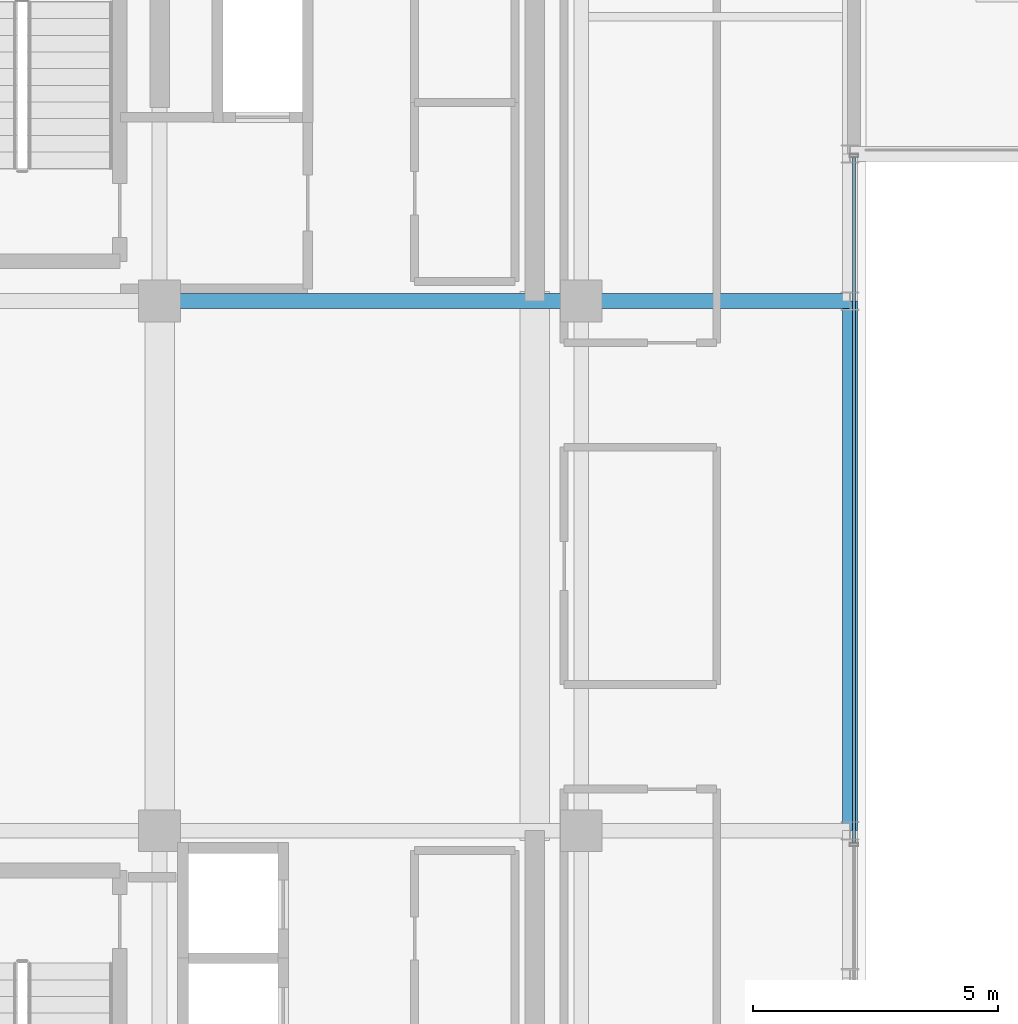
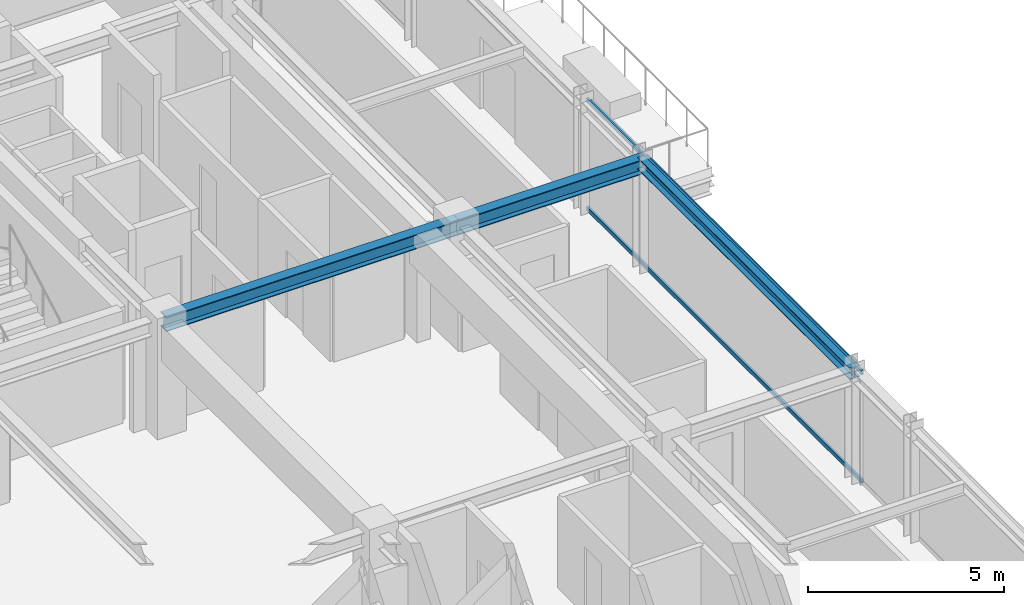
# One storey, part 14 of 33: 3 beams, 2 members, 1 element without a shape of its own.
"""IFC4 building model written with IfcOpenShell, lengths in metres."""

from ifc_helpers import new_model, si_unit, direction, frame, origin, origin_2d, place, context, subcontext, project, spatial, hollow_rectangle, i_section, extrude, source, transform, mapped, material, material_profile, profile_set, type_object, element, aggregate, save


model = new_model("IFC4")

# Units and contexts
model_context = context("Model", 3, precision=1e-05, world=origin(), true_north=direction((0.0, 1.0)))
body_context = subcontext(model_context, "Body", "Model", "MODEL_VIEW")
ifc_project = project(units=[si_unit("LENGTHUNIT", "METRE"), si_unit("AREAUNIT", "SQUARE_METRE"), si_unit("VOLUMEUNIT", "CUBIC_METRE"), si_unit("PLANEANGLEUNIT", "RADIAN"), si_unit("MASSUNIT", "GRAM", prefix="KILO")], contexts=[model_context])

# Site, building, storey
site_placement = place(None, origin())
site = spatial("IfcSite", under=ifc_project, at=site_placement, CompositionType="ELEMENT")
building_placement = place(site_placement, origin())
building = spatial("IfcBuilding", under=site, at=building_placement, Name="Nahalor Promenade Grand Hotel", CompositionType="ELEMENT")
storey_placement = place(building_placement, frame((0.0, 0.0, 315.75)))
storey = spatial("IfcBuildingStorey", under=building, at=storey_placement, Name="L81", CompositionType="ELEMENT", Elevation=315.75)

# Beams
ifc_material_1 = material(Name="Steel S355JR", Category="steel")
ifc_material_profile_1 = material_profile(ifc_material_1, i_section(OverallWidth=0.3, OverallDepth=0.45, WebThickness=0.014, FlangeThickness=0.026, at=origin_2d()), Name="HEB 450")
ifc_profile_set_1 = profile_set([ifc_material_profile_1], Name="Steel S355JR")
beam_type_1 = type_object("IfcBeamType", Name="Beam-Girder-HEB450", PredefinedType="BEAM", material=ifc_profile_set_1)
shared_shape_1 = source(origin(), body_context, "Body", "SweptSolid", [
    extrude(i_section(OverallWidth=0.3, OverallDepth=0.45, WebThickness=0.014, FlangeThickness=0.026, at=origin_2d()), origin(), (0.0, 0.0, 1.0), 8.60009765625),
])
beam_1_placement = place(storey_placement, frame((8.39990234375, 5.39990234375, 3.27490234375), z_axis=(1.0, 0.0, 0.0), x_axis=(0.0, 1.0, 0.0)))
element("IfcBeam", 1, at=beam_1_placement, inside=storey, type_object=beam_type_1, Name="BM-L81-GX-2-5", PredefinedType="BEAM", context=body_context, shape_type="MappedRepresentation", body=[
    mapped(shared_shape_1, transform((0.0, 0.0, 0.0), scale=1.0)),
])
shared_shape_2 = source(origin(), body_context, "Body", "SweptSolid", [
    extrude(i_section(OverallWidth=0.3, OverallDepth=0.45, WebThickness=0.014, FlangeThickness=0.026, at=origin_2d()), origin(), (0.0, 0.0, 1.0), 5.47998046875),
])
beam_2_placement = place(storey_placement, frame((17.0, 5.39990234375, 3.27490234375), z_axis=(1.0, 0.0, 0.0), x_axis=(0.0, 1.0, 0.0)))
element("IfcBeam", 2, at=beam_2_placement, inside=storey, type_object=beam_type_1, Name="BM-L81-GX-2-6", PredefinedType="BEAM", context=body_context, shape_type="MappedRepresentation", body=[
    mapped(shared_shape_2, transform((0.0, 0.0, 0.0), scale=1.0)),
])
ifc_material_profile_2 = material_profile(ifc_material_1, i_section(OverallWidth=0.3, OverallDepth=0.36, WebThickness=0.0125, FlangeThickness=0.0225, at=origin_2d()), Name="HEB 360")
ifc_profile_set_2 = profile_set([ifc_material_profile_2], Name="Steel S355JR")
beam_type_2 = type_object("IfcBeamType", Name="Beam-Spandrel-HEB360", PredefinedType="SPANDREL", material=ifc_profile_set_2)
shared_shape_3 = source(origin(), body_context, "Body", "SweptSolid", [
    extrude(i_section(OverallWidth=0.3, OverallDepth=0.36, WebThickness=0.0125, FlangeThickness=0.0225, at=origin_2d()), origin(), (0.0, 0.0, 1.0), 10.7998046875),
])
beam_3_placement = place(storey_placement, frame((22.47998046875, -5.39990234375, 3.320068359375), z_axis=(0.0, 1.0, 0.0), x_axis=(-1.0, 0.0, 0.0)))
element("IfcBeam", 3, at=beam_3_placement, inside=storey, type_object=beam_type_2, Name="BM-L81-SP-E-2", PredefinedType="SPANDREL", context=body_context, shape_type="MappedRepresentation", body=[
    mapped(shared_shape_3, transform((0.0, 0.0, 0.0), scale=1.0)),
])

# Curtain wall, members
ifc_material_2 = material(Name="Anodised Bronze Aluminium EN AW-6063 T6", Category="aluminium")
curtain_wall_type = type_object("IfcCurtainWallType", Name="CW2 Typical Hotel Flush Bronze Unitised Curtain Wall", PredefinedType="USERDEFINED", material=ifc_material_2)
curtain_wall_placement = place(storey_placement, origin())
curtain_wall = element("IfcCurtainWall", 4, at=curtain_wall_placement, inside=storey, type_object=curtain_wall_type, Name="L81 Curtain Wall CW-L81-E-1", ObjectType="UNITISED_CURTAIN_WALL", PredefinedType="USERDEFINED")
ifc_material_profile_3 = material_profile(ifc_material_2, hollow_rectangle(XDim=0.065, YDim=0.13, WallThickness=0.004, at=origin_2d()), Name="CWT 65x130x4")
ifc_profile_set_3 = profile_set([ifc_material_profile_3], Name="Anodised Bronze Aluminium EN AW-6063 T6")
member_type = type_object("IfcMemberType", Name="CWT2 Typical Bronze Transom 65x130", PredefinedType="USERDEFINED", material=ifc_profile_set_3)
shared_shape_4 = source(origin(), body_context, "Body", "SweptSolid", [
    extrude(hollow_rectangle(XDim=0.065, YDim=0.13, WallThickness=0.004, at=origin_2d()), origin(), (0.0, 0.0, 1.0), 13.982421875),
])
member_1_placement = place(storey_placement, frame((22.56005859375, -5.6474609375, 0.06494140625), z_axis=(0.0, 1.0, 0.0), x_axis=(-1.0, 0.0, 0.0)))
member_1 = element("IfcMember", 5, at=member_1_placement, type_object=member_type, Name="CW-L81-E-1 Transom 1-0", ObjectType="TRANSOM", PredefinedType="USERDEFINED", context=body_context, shape_type="MappedRepresentation", body=[
    mapped(shared_shape_4, transform((0.0, 0.0, 0.0), scale=1.0)),
])
member_2_placement = place(storey_placement, frame((22.56005859375, -5.6474609375, 3.43505859375), z_axis=(0.0, 1.0, 0.0), x_axis=(-1.0, 0.0, 0.0)))
member_2 = element("IfcMember", 6, at=member_2_placement, type_object=member_type, Name="CW-L81-E-1 Transom 1-1", ObjectType="TRANSOM", PredefinedType="USERDEFINED", context=body_context, shape_type="MappedRepresentation", body=[
    mapped(shared_shape_4, transform((0.0, 0.0, 0.0), scale=1.0)),
])
aggregate(curtain_wall, [member_1, member_2])

save(model, "model.ifc")
